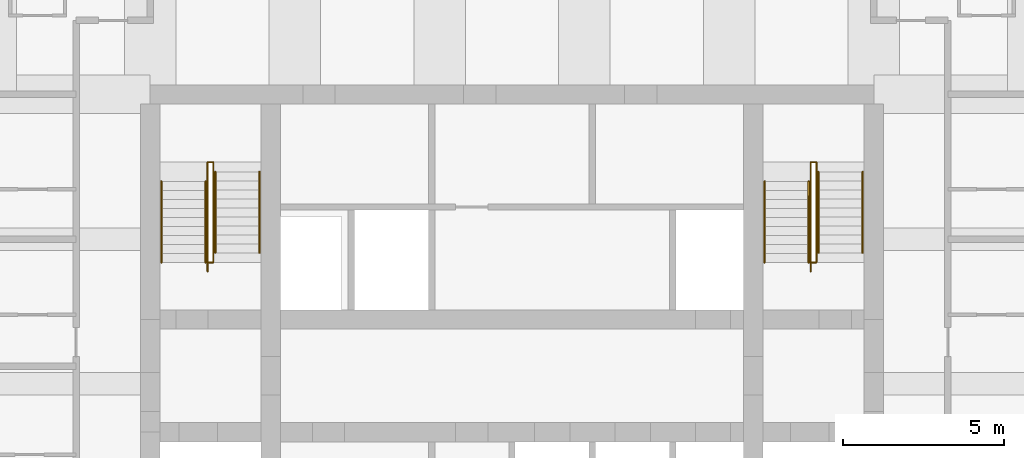
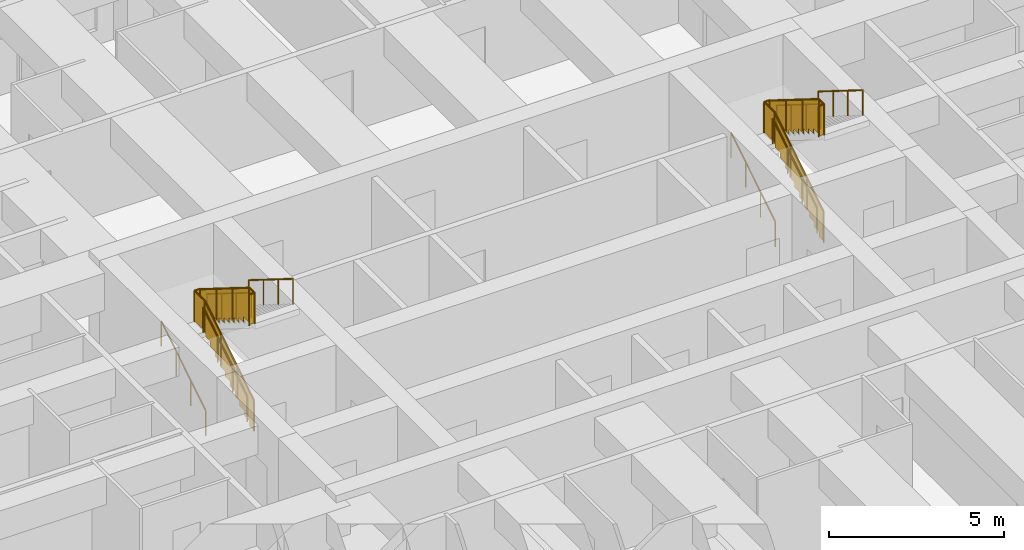
# One storey, part 8 of 8: 12 railings.
"""IFC4 building model written with IfcOpenShell, lengths in metres."""

from ifc_helpers import new_model, si_unit, direction, frame, origin, origin_2d, place, context, subcontext, project, spatial, polyline, circle, outline, extrude, material, type_object, element, save


model = new_model("IFC4")

# Units and contexts
model_context = context("Model", 3, precision=1e-05, world=origin(), true_north=direction((0.0, 1.0)))
body_context = subcontext(model_context, "Body", "Model", "MODEL_VIEW")
ifc_project = project(units=[si_unit("LENGTHUNIT", "METRE"), si_unit("AREAUNIT", "SQUARE_METRE"), si_unit("VOLUMEUNIT", "CUBIC_METRE"), si_unit("PLANEANGLEUNIT", "RADIAN"), si_unit("MASSUNIT", "GRAM", prefix="KILO")], contexts=[model_context])

# Site, building, storey
site_placement = place(None, origin())
site = spatial("IfcSite", under=ifc_project, at=site_placement, CompositionType="ELEMENT")
building_placement = place(site_placement, origin())
building = spatial("IfcBuilding", under=site, at=building_placement, Name="Kilele Tower Hotel", CompositionType="ELEMENT")
storey_placement = place(building_placement, frame((0.0, 0.0, 138.89990234375)))
storey = spatial("IfcBuildingStorey", under=building, at=storey_placement, Name="L36", CompositionType="ELEMENT", Elevation=138.89990234375)

# Railings
ifc_material_1 = material(Name="Steel handrail", Category="steel")
railing_type_1 = type_object("IfcRailingType", Name="Handrail 900", PredefinedType="HANDRAIL", material=ifc_material_1)
for number, where, name in (
    (1, (13.85009765625, 21.77490234375, 0.175048828125), "Handrail ST1 flight 1"),
    (2, (15.22509765625, 21.77490234375, 0.175048828125), "Handrail ST1 flight 1"),
):
    element("IfcRailing", number, at=place(storey_placement, frame(where)), inside=storey, type_object=railing_type_1, Name=name, PredefinedType="HANDRAIL", context=body_context, shape_type="SweptSolid", body=[
        extrude(circle(Radius=0.02490234375, at=origin_2d()), frame((0.0, 0.0, 0.875), z_axis=(0.0, 0.848007534815, 0.529984170421), x_axis=(-1.0, 0.0, 0.0)), (0.0, 0.0, 1.0), 2.9716796875),
        extrude(circle(Radius=0.02001953125, at=origin_2d()), origin(), (0.0, 0.0, 1.0), 0.849853515625),
        extrude(circle(Radius=0.02001953125, at=origin_2d()), frame((0.0, 0.840087890625, 0.52490234375)), (0.0, 0.0, 1.0), 0.849853515625),
        extrude(circle(Radius=0.02001953125, at=origin_2d()), frame((0.0, 1.679931640625, 1.050048828125)), (0.0, 0.0, 1.0), 0.849853515625),
        extrude(circle(Radius=0.02001953125, at=origin_2d()), frame((0.0, 2.52001953125, 1.574951171875)), (0.0, 0.0, 1.0), 0.849853515625),
    ])
for number, where, name in (
    (3, (15.52490234375, 24.594970703125, 1.925048828125), "Handrail ST1 flight 2"),
    (4, (16.89990234375, 24.594970703125, 1.925048828125), "Handrail ST1 flight 2"),
):
    element("IfcRailing", number, at=place(storey_placement, frame(where)), inside=storey, type_object=railing_type_1, Name=name, PredefinedType="HANDRAIL", context=body_context, shape_type="SweptSolid", body=[
        extrude(circle(Radius=0.02490234375, at=origin_2d()), frame((0.0, 0.0, 0.875), z_axis=(0.0, -0.848007534815, 0.529984170421), x_axis=(1.0, 0.0, 0.0)), (0.0, 0.0, 1.0), 2.9716796875),
        extrude(circle(Radius=0.02001953125, at=origin_2d()), origin(), (0.0, 0.0, 1.0), 0.849853515625),
        extrude(circle(Radius=0.02001953125, at=origin_2d()), frame((0.0, -0.840087890625, 0.52490234375)), (0.0, 0.0, 1.0), 0.849853515625),
        extrude(circle(Radius=0.02001953125, at=origin_2d()), frame((0.0, -1.679931640625, 1.050048828125)), (0.0, 0.0, 1.0), 0.849853515625),
        extrude(circle(Radius=0.02001953125, at=origin_2d()), frame((0.0, -2.52001953125, 1.574951171875)), (0.0, 0.0, 1.0), 0.849853515625),
    ])
for number, where, name in (
    (5, (32.60009765625, 21.77490234375, 0.175048828125), "Handrail ST2 flight 1"),
    (6, (33.97509765625, 21.77490234375, 0.175048828125), "Handrail ST2 flight 1"),
):
    element("IfcRailing", number, at=place(storey_placement, frame(where)), inside=storey, type_object=railing_type_1, Name=name, PredefinedType="HANDRAIL", context=body_context, shape_type="SweptSolid", body=[
        extrude(circle(Radius=0.02490234375, at=origin_2d()), frame((0.0, 0.0, 0.875), z_axis=(0.0, 0.848007534815, 0.529984170421), x_axis=(-1.0, 0.0, 0.0)), (0.0, 0.0, 1.0), 2.9716796875),
        extrude(circle(Radius=0.02001953125, at=origin_2d()), origin(), (0.0, 0.0, 1.0), 0.849853515625),
        extrude(circle(Radius=0.02001953125, at=origin_2d()), frame((0.0, 0.840087890625, 0.52490234375)), (0.0, 0.0, 1.0), 0.849853515625),
        extrude(circle(Radius=0.02001953125, at=origin_2d()), frame((0.0, 1.679931640625, 1.050048828125)), (0.0, 0.0, 1.0), 0.849853515625),
        extrude(circle(Radius=0.02001953125, at=origin_2d()), frame((0.0, 2.52001953125, 1.574951171875)), (0.0, 0.0, 1.0), 0.849853515625),
    ])
for number, where, name in (
    (7, (34.27490234375, 24.594970703125, 1.925048828125), "Handrail ST2 flight 2"),
    (8, (35.64990234375, 24.594970703125, 1.925048828125), "Handrail ST2 flight 2"),
):
    element("IfcRailing", number, at=place(storey_placement, frame(where)), inside=storey, type_object=railing_type_1, Name=name, PredefinedType="HANDRAIL", context=body_context, shape_type="SweptSolid", body=[
        extrude(circle(Radius=0.02490234375, at=origin_2d()), frame((0.0, 0.0, 0.875), z_axis=(0.0, -0.848007534815, 0.529984170421), x_axis=(1.0, 0.0, 0.0)), (0.0, 0.0, 1.0), 2.9716796875),
        extrude(circle(Radius=0.02001953125, at=origin_2d()), origin(), (0.0, 0.0, 1.0), 0.849853515625),
        extrude(circle(Radius=0.02001953125, at=origin_2d()), frame((0.0, -0.840087890625, 0.52490234375)), (0.0, 0.0, 1.0), 0.849853515625),
        extrude(circle(Radius=0.02001953125, at=origin_2d()), frame((0.0, -1.679931640625, 1.050048828125)), (0.0, 0.0, 1.0), 0.849853515625),
        extrude(circle(Radius=0.02001953125, at=origin_2d()), frame((0.0, -2.52001953125, 1.574951171875)), (0.0, 0.0, 1.0), 0.849853515625),
    ])
ifc_material_2 = material(Name="Steel guard", Category="steel")
railing_type_2 = type_object("IfcRailingType", Name="Stair guard 1100", PredefinedType="GUARDRAIL", material=ifc_material_2)
railing_1_placement = place(storey_placement, frame((15.284912109375, 21.4951171875, 0.0)))
element("IfcRailing", 9, at=railing_1_placement, inside=storey, type_object=railing_type_2, Name="Stair well guard ST1 flight 1", PredefinedType="GUARDRAIL", context=body_context, shape_type="SweptSolid", body=[
    extrude(circle(Radius=0.02490234375, at=origin_2d()), frame((0.0, 0.0, 1.0751953125), z_axis=(0.0, 0.847981687118, 0.530025526095), x_axis=(-1.0, 0.0, 0.0)), (0.0, 0.0, 1.0), 3.3017578125),
    extrude(circle(Radius=0.02490234375, at=origin_2d()), frame((0.0, 2.7998046875, 2.8251953125), z_axis=(0.0, 1.0, 0.0), x_axis=(-1.0, 0.0, 0.0)), (0.0, 0.0, 1.0), 0.60009765625),
    extrude(circle(Radius=0.02490234375, at=origin_2d()), frame((0.0, 3.39990234375, 2.8251953125), z_axis=(1.0, 0.0, 0.0), x_axis=(0.0, 1.0, 0.0)), (0.0, 0.0, 1.0), 0.18017578125),
    extrude(circle(Radius=0.02490234375, at=origin_2d()), origin(), (0.0, 0.0, 1.0), 1.050048828125),
    extrude(circle(Radius=0.02490234375, at=origin_2d()), frame((0.0, 0.933349609375, 0.583251953125)), (0.0, 0.0, 1.0), 1.050048828125),
    extrude(circle(Radius=0.02490234375, at=origin_2d()), frame((0.0, 1.866455078125, 1.166748046875)), (0.0, 0.0, 1.0), 1.050048828125),
    extrude(circle(Radius=0.02490234375, at=origin_2d()), frame((0.0, 2.7998046875, 1.75)), (0.0, 0.0, 1.0), 1.050048828125),
    extrude(circle(Radius=0.02490234375, at=origin_2d()), frame((0.0, 3.39990234375, 1.75)), (0.0, 0.0, 1.0), 1.050048828125),
    extrude(circle(Radius=0.02490234375, at=origin_2d()), frame((0.18017578125, 3.39990234375, 1.75)), (0.0, 0.0, 1.0), 1.050048828125),
    extrude(outline(polyline([(0.012451171875, 0.030029296875), (0.25, 0.030029296875), (0.25, 0.205078125), (0.530029296875, 0.205078125), (0.530029296875, 0.380126953125), (0.809814453125, 0.380126953125), (0.809814453125, 0.554931640625), (1.08984375, 0.554931640625), (1.08984375, 0.72998046875), (1.369873046875, 0.72998046875), (1.369873046875, 0.905029296875), (1.64990234375, 0.905029296875), (1.64990234375, 1.080078125), (1.929931640625, 1.080078125), (1.929931640625, 1.255126953125), (2.209716796875, 1.255126953125), (2.209716796875, 1.429931640625), (2.48974609375, 1.429931640625), (2.48974609375, 1.60498046875), (2.769775390625, 1.60498046875), (2.769775390625, 1.780029296875), (2.787353515625, 1.780029296875), (2.787353515625, 2.787841796875), (0.012451171875, 1.053466796875), (0.012451171875, 0.030029296875)])), frame((-0.005859375, 0.0, 0.0), z_axis=(1.0, 0.0, 0.0), x_axis=(0.0, 1.0, 0.0)), (0.0, 0.0, 1.0), 0.011962890625),
    extrude(outline(polyline([(0.012451171875, 0.030029296875), (0.587646484375, 0.030029296875), (0.587646484375, 1.050048828125), (0.012451171875, 1.050048828125), (0.012451171875, 0.030029296875)])), frame((-0.005859375, 2.7998046875, 1.75), z_axis=(1.0, 0.0, 0.0), x_axis=(0.0, 1.0, 0.0)), (0.0, 0.0, 1.0), 0.011962890625),
    extrude(outline(polyline([(0.012451171875, 0.030029296875), (0.18017578125, 0.030029296875), (0.18017578125, 1.050048828125), (0.012451171875, 1.050048828125), (0.012451171875, 0.030029296875)])), frame((0.0, 3.40576171875, 1.75), z_axis=(0.0, -1.0, 0.0), x_axis=(1.0, 0.0, 0.0)), (0.0, 0.0, 1.0), 0.011962890625),
])
railing_2_placement = place(storey_placement, frame((15.465087890625, 24.89501953125, 1.75)))
element("IfcRailing", 10, at=railing_2_placement, inside=storey, type_object=railing_type_2, Name="Stair well guard ST1 flight 2", PredefinedType="GUARDRAIL", context=body_context, shape_type="SweptSolid", body=[
    extrude(circle(Radius=0.02490234375, at=origin_2d()), frame((0.0, 0.0, 1.0751953125), z_axis=(0.0, -1.0, 0.0), x_axis=(1.0, 0.0, 0.0)), (0.0, 0.0, 1.0), 0.02001953125),
    extrude(circle(Radius=0.02490234375, at=origin_2d()), frame((0.0, -0.02001953125, 1.0751953125), z_axis=(0.0, -0.848002457836, 0.529992293815), x_axis=(1.0, 0.0, 0.0)), (0.0, 0.0, 1.0), 3.302001953125),
    extrude(circle(Radius=0.02490234375, at=origin_2d()), frame((0.0, -2.820068359375, 2.8251953125), z_axis=(0.0, -1.0, 0.0), x_axis=(1.0, 0.0, 0.0)), (0.0, 0.0, 1.0), 0.300048828125),
    extrude(circle(Radius=0.02490234375, at=origin_2d()), frame((0.0, -3.1201171875, 2.8251953125), z_axis=(-1.0, 0.0, 0.0), x_axis=(0.0, -1.0, 0.0)), (0.0, 0.0, 1.0), 0.18017578125),
    extrude(circle(Radius=0.02490234375, at=origin_2d()), origin(), (0.0, 0.0, 1.0), 1.050048828125),
    extrude(circle(Radius=0.02490234375, at=origin_2d()), frame((0.0, -0.02001953125, 0.0)), (0.0, 0.0, 1.0), 1.050048828125),
    extrude(circle(Radius=0.02490234375, at=origin_2d()), frame((0.0, -0.953369140625, 0.583251953125)), (0.0, 0.0, 1.0), 1.050048828125),
    extrude(circle(Radius=0.02490234375, at=origin_2d()), frame((0.0, -1.88671875, 1.166748046875)), (0.0, 0.0, 1.0), 1.050048828125),
    extrude(circle(Radius=0.02490234375, at=origin_2d()), frame((0.0, -2.820068359375, 1.75)), (0.0, 0.0, 1.0), 1.050048828125),
    extrude(circle(Radius=0.02490234375, at=origin_2d()), frame((0.0, -3.1201171875, 1.75)), (0.0, 0.0, 1.0), 1.050048828125),
    extrude(circle(Radius=0.02490234375, at=origin_2d()), frame((-0.18017578125, -3.1201171875, 1.75)), (0.0, 0.0, 1.0), 1.050048828125),
    extrude(outline(polyline([(0.012451171875, 0.030029296875), (0.25, 0.030029296875), (0.25, 0.205078125), (0.530029296875, 0.205078125), (0.530029296875, 0.380126953125), (0.81005859375, 0.380126953125), (0.81005859375, 0.554931640625), (1.090087890625, 0.554931640625), (1.090087890625, 0.72998046875), (1.3701171875, 0.72998046875), (1.3701171875, 0.905029296875), (1.64990234375, 0.905029296875), (1.64990234375, 1.080078125), (1.929931640625, 1.080078125), (1.929931640625, 1.255126953125), (2.2099609375, 1.255126953125), (2.2099609375, 1.429931640625), (2.489990234375, 1.429931640625), (2.489990234375, 1.60498046875), (2.77001953125, 1.60498046875), (2.77001953125, 1.780029296875), (2.78759765625, 1.780029296875), (2.78759765625, 2.787841796875), (0.012451171875, 1.053466796875), (0.012451171875, 0.030029296875)])), frame((0.005859375, -0.02001953125, 0.0), z_axis=(-1.0, 0.0, 0.0), x_axis=(0.0, -1.0, 0.0)), (0.0, 0.0, 1.0), 0.011962890625),
    extrude(outline(polyline([(0.012451171875, 0.030029296875), (0.28759765625, 0.030029296875), (0.28759765625, 1.050048828125), (0.012451171875, 1.050048828125), (0.012451171875, 0.030029296875)])), frame((0.005859375, -2.820068359375, 1.75), z_axis=(-1.0, 0.0, 0.0), x_axis=(0.0, -1.0, 0.0)), (0.0, 0.0, 1.0), 0.011962890625),
    extrude(outline(polyline([(0.012451171875, 0.030029296875), (0.18017578125, 0.030029296875), (0.18017578125, 1.050048828125), (0.012451171875, 1.050048828125), (0.012451171875, 0.030029296875)])), frame((0.0, -3.1259765625, 1.75), z_axis=(0.0, 1.0, 0.0), x_axis=(-1.0, 0.0, 0.0)), (0.0, 0.0, 1.0), 0.011962890625),
])
railing_3_placement = place(storey_placement, frame((34.034912109375, 21.4951171875, 0.0)))
element("IfcRailing", 11, at=railing_3_placement, inside=storey, type_object=railing_type_2, Name="Stair well guard ST2 flight 1", PredefinedType="GUARDRAIL", context=body_context, shape_type="SweptSolid", body=[
    extrude(circle(Radius=0.02490234375, at=origin_2d()), frame((0.0, 0.0, 1.0751953125), z_axis=(0.0, 0.847981687118, 0.530025526095), x_axis=(-1.0, 0.0, 0.0)), (0.0, 0.0, 1.0), 3.3017578125),
    extrude(circle(Radius=0.02490234375, at=origin_2d()), frame((0.0, 2.7998046875, 2.8251953125), z_axis=(0.0, 1.0, 0.0), x_axis=(-1.0, 0.0, 0.0)), (0.0, 0.0, 1.0), 0.60009765625),
    extrude(circle(Radius=0.02490234375, at=origin_2d()), frame((0.0, 3.39990234375, 2.8251953125), z_axis=(1.0, 0.0, 0.0), x_axis=(0.0, 1.0, 0.0)), (0.0, 0.0, 1.0), 0.18017578125),
    extrude(circle(Radius=0.02490234375, at=origin_2d()), origin(), (0.0, 0.0, 1.0), 1.050048828125),
    extrude(circle(Radius=0.02490234375, at=origin_2d()), frame((0.0, 0.933349609375, 0.583251953125)), (0.0, 0.0, 1.0), 1.050048828125),
    extrude(circle(Radius=0.02490234375, at=origin_2d()), frame((0.0, 1.866455078125, 1.166748046875)), (0.0, 0.0, 1.0), 1.050048828125),
    extrude(circle(Radius=0.02490234375, at=origin_2d()), frame((0.0, 2.7998046875, 1.75)), (0.0, 0.0, 1.0), 1.050048828125),
    extrude(circle(Radius=0.02490234375, at=origin_2d()), frame((0.0, 3.39990234375, 1.75)), (0.0, 0.0, 1.0), 1.050048828125),
    extrude(circle(Radius=0.02490234375, at=origin_2d()), frame((0.18017578125, 3.39990234375, 1.75)), (0.0, 0.0, 1.0), 1.050048828125),
    extrude(outline(polyline([(0.012451171875, 0.030029296875), (0.25, 0.030029296875), (0.25, 0.205078125), (0.530029296875, 0.205078125), (0.530029296875, 0.380126953125), (0.809814453125, 0.380126953125), (0.809814453125, 0.554931640625), (1.08984375, 0.554931640625), (1.08984375, 0.72998046875), (1.369873046875, 0.72998046875), (1.369873046875, 0.905029296875), (1.64990234375, 0.905029296875), (1.64990234375, 1.080078125), (1.929931640625, 1.080078125), (1.929931640625, 1.255126953125), (2.209716796875, 1.255126953125), (2.209716796875, 1.429931640625), (2.48974609375, 1.429931640625), (2.48974609375, 1.60498046875), (2.769775390625, 1.60498046875), (2.769775390625, 1.780029296875), (2.787353515625, 1.780029296875), (2.787353515625, 2.787841796875), (0.012451171875, 1.053466796875), (0.012451171875, 0.030029296875)])), frame((-0.005859375, 0.0, 0.0), z_axis=(1.0, 0.0, 0.0), x_axis=(0.0, 1.0, 0.0)), (0.0, 0.0, 1.0), 0.011962890625),
    extrude(outline(polyline([(0.012451171875, 0.030029296875), (0.587646484375, 0.030029296875), (0.587646484375, 1.050048828125), (0.012451171875, 1.050048828125), (0.012451171875, 0.030029296875)])), frame((-0.005859375, 2.7998046875, 1.75), z_axis=(1.0, 0.0, 0.0), x_axis=(0.0, 1.0, 0.0)), (0.0, 0.0, 1.0), 0.011962890625),
    extrude(outline(polyline([(0.012451171875, 0.030029296875), (0.18017578125, 0.030029296875), (0.18017578125, 1.050048828125), (0.012451171875, 1.050048828125), (0.012451171875, 0.030029296875)])), frame((0.0, 3.40576171875, 1.75), z_axis=(0.0, -1.0, 0.0), x_axis=(1.0, 0.0, 0.0)), (0.0, 0.0, 1.0), 0.011962890625),
])
railing_4_placement = place(storey_placement, frame((34.215087890625, 24.89501953125, 1.75)))
element("IfcRailing", 12, at=railing_4_placement, inside=storey, type_object=railing_type_2, Name="Stair well guard ST2 flight 2", PredefinedType="GUARDRAIL", context=body_context, shape_type="SweptSolid", body=[
    extrude(circle(Radius=0.02490234375, at=origin_2d()), frame((0.0, 0.0, 1.0751953125), z_axis=(0.0, -1.0, 0.0), x_axis=(1.0, 0.0, 0.0)), (0.0, 0.0, 1.0), 0.02001953125),
    extrude(circle(Radius=0.02490234375, at=origin_2d()), frame((0.0, -0.02001953125, 1.0751953125), z_axis=(0.0, -0.848002457836, 0.529992293815), x_axis=(1.0, 0.0, 0.0)), (0.0, 0.0, 1.0), 3.302001953125),
    extrude(circle(Radius=0.02490234375, at=origin_2d()), frame((0.0, -2.820068359375, 2.8251953125), z_axis=(0.0, -1.0, 0.0), x_axis=(1.0, 0.0, 0.0)), (0.0, 0.0, 1.0), 0.300048828125),
    extrude(circle(Radius=0.02490234375, at=origin_2d()), frame((0.0, -3.1201171875, 2.8251953125), z_axis=(-1.0, 0.0, 0.0), x_axis=(0.0, -1.0, 0.0)), (0.0, 0.0, 1.0), 0.18017578125),
    extrude(circle(Radius=0.02490234375, at=origin_2d()), origin(), (0.0, 0.0, 1.0), 1.050048828125),
    extrude(circle(Radius=0.02490234375, at=origin_2d()), frame((0.0, -0.02001953125, 0.0)), (0.0, 0.0, 1.0), 1.050048828125),
    extrude(circle(Radius=0.02490234375, at=origin_2d()), frame((0.0, -0.953369140625, 0.583251953125)), (0.0, 0.0, 1.0), 1.050048828125),
    extrude(circle(Radius=0.02490234375, at=origin_2d()), frame((0.0, -1.88671875, 1.166748046875)), (0.0, 0.0, 1.0), 1.050048828125),
    extrude(circle(Radius=0.02490234375, at=origin_2d()), frame((0.0, -2.820068359375, 1.75)), (0.0, 0.0, 1.0), 1.050048828125),
    extrude(circle(Radius=0.02490234375, at=origin_2d()), frame((0.0, -3.1201171875, 1.75)), (0.0, 0.0, 1.0), 1.050048828125),
    extrude(circle(Radius=0.02490234375, at=origin_2d()), frame((-0.18017578125, -3.1201171875, 1.75)), (0.0, 0.0, 1.0), 1.050048828125),
    extrude(outline(polyline([(0.012451171875, 0.030029296875), (0.25, 0.030029296875), (0.25, 0.205078125), (0.530029296875, 0.205078125), (0.530029296875, 0.380126953125), (0.81005859375, 0.380126953125), (0.81005859375, 0.554931640625), (1.090087890625, 0.554931640625), (1.090087890625, 0.72998046875), (1.3701171875, 0.72998046875), (1.3701171875, 0.905029296875), (1.64990234375, 0.905029296875), (1.64990234375, 1.080078125), (1.929931640625, 1.080078125), (1.929931640625, 1.255126953125), (2.2099609375, 1.255126953125), (2.2099609375, 1.429931640625), (2.489990234375, 1.429931640625), (2.489990234375, 1.60498046875), (2.77001953125, 1.60498046875), (2.77001953125, 1.780029296875), (2.78759765625, 1.780029296875), (2.78759765625, 2.787841796875), (0.012451171875, 1.053466796875), (0.012451171875, 0.030029296875)])), frame((0.005859375, -0.02001953125, 0.0), z_axis=(-1.0, 0.0, 0.0), x_axis=(0.0, -1.0, 0.0)), (0.0, 0.0, 1.0), 0.011962890625),
    extrude(outline(polyline([(0.012451171875, 0.030029296875), (0.28759765625, 0.030029296875), (0.28759765625, 1.050048828125), (0.012451171875, 1.050048828125), (0.012451171875, 0.030029296875)])), frame((0.005859375, -2.820068359375, 1.75), z_axis=(-1.0, 0.0, 0.0), x_axis=(0.0, -1.0, 0.0)), (0.0, 0.0, 1.0), 0.011962890625),
    extrude(outline(polyline([(0.012451171875, 0.030029296875), (0.18017578125, 0.030029296875), (0.18017578125, 1.050048828125), (0.012451171875, 1.050048828125), (0.012451171875, 0.030029296875)])), frame((0.0, -3.1259765625, 1.75), z_axis=(0.0, 1.0, 0.0), x_axis=(-1.0, 0.0, 0.0)), (0.0, 0.0, 1.0), 0.011962890625),
])

save(model, "model.ifc")
